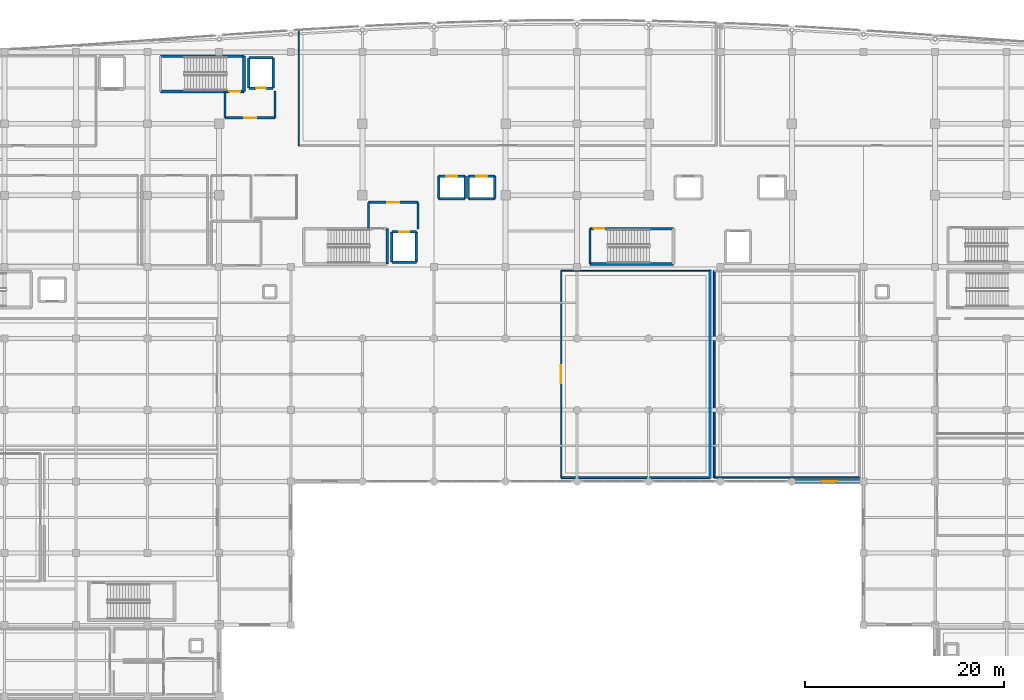
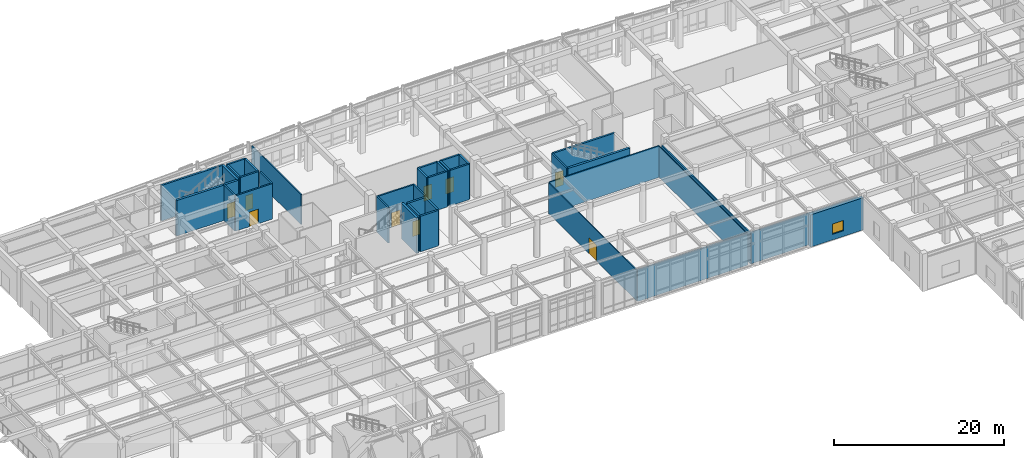
# One storey, part 77 of 102: 37 walls, 9 doors, 1 window, 10 openings.
"""IFC4 building model written with IfcOpenShell, lengths in metres."""

from ifc_helpers import new_model, si_unit, direction, frame, frame_2d, origin, place, context, subcontext, project, spatial, rectangle, extrude, material, layer, layer_set, type_object, element, fill, save


model = new_model("IFC4")

# Units and contexts
model_context = context("Model", 3, precision=1e-05, world=origin(), true_north=direction((0.0, 1.0)))
body_context = subcontext(model_context, "Body", "Model", "MODEL_VIEW")
ifc_project = project(units=[si_unit("LENGTHUNIT", "METRE"), si_unit("AREAUNIT", "SQUARE_METRE"), si_unit("VOLUMEUNIT", "CUBIC_METRE"), si_unit("PLANEANGLEUNIT", "RADIAN"), si_unit("MASSUNIT", "GRAM", prefix="KILO")], contexts=[model_context])

# Site, building, storey
site_placement = place(None, origin())
site = spatial("IfcSite", under=ifc_project, at=site_placement, CompositionType="ELEMENT")
building_placement = place(site_placement, origin())
building = spatial("IfcBuilding", under=site, at=building_placement, Name="Carrowvane Square Congress Hotel", CompositionType="ELEMENT")
storey_placement = place(building_placement, origin())
storey = spatial("IfcBuildingStorey", under=building, at=storey_placement, Name="L00", CompositionType="ELEMENT", Elevation=0.0)

# Wall, opening, window
ifc_material_1 = material(Name="Portland limestone cladding", Category="masonry")
ifc_layer_1 = layer(ifc_material_1, 0.419921875)
ifc_layer_set_1 = layer_set([ifc_layer_1], Name="Portland limestone cladding")
wall_type_1 = type_object("IfcWallType", Name="WL-EXT-LS420", PredefinedType="STANDARD", material=ifc_layer_set_1)
wall_1_placement = place(storey_placement, frame((126.800048828125, 70.199951171875, 0.0), z_axis=(0.0, 0.0, 1.0), x_axis=(-1.0, 0.0, 0.0)))
wall_1 = element("IfcWall", 1, at=wall_1_placement, inside=storey, type_object=wall_type_1, Name="L00 exterior facade wall 189", PredefinedType="STANDARD", context=body_context, shape_type="SweptSolid", body=[
    extrude(rectangle(XDim=7.199951171875, YDim=0.419921875, at=frame_2d((3.60009765625, 0.0))), origin(), (0.0, 0.0, 1.0), 4.625),
])
opening_1_placement = place(wall_1_placement, frame((2.699951171875, 0.0, 0.800048828125)))
opening_1 = element("IfcOpeningElement", 2, at=opening_1_placement, cuts=wall_1, Name="Opening W-15", PredefinedType="OPENING", context=body_context, shape_type="SweptSolid", body=[
    extrude(rectangle(XDim=1.5, YDim=1.5, at=frame_2d((0.75, 0.75))), frame((0.0, 0.219970703125, 0.0), z_axis=(0.0, -1.0, 0.0), x_axis=(1.0, 0.0, 0.0)), (0.0, 0.0, 1.0), 0.43994140625),
])
ifc_material_2 = material(Name="Double-glazed low-E glass", Category="glass")
window_type = type_object("IfcWindowType", Name="WIN-15", PartitioningType="SINGLE_PANEL", PredefinedType="WINDOW", material=ifc_material_2)
window_placement = place(opening_1_placement, origin())
window = element("IfcWindow", 3, at=window_placement, inside=storey, type_object=window_type, Name="L00 facade window 25", OverallHeight=1.5, OverallWidth=1.5, PartitioningType="SINGLE_PANEL", PredefinedType="WINDOW", context=body_context, shape_type="SweptSolid", body=[
    extrude(rectangle(XDim=1.5, YDim=1.5, at=frame_2d((0.75, 0.75))), frame((0.0, 0.030029296875, 0.0), z_axis=(0.0, -1.0, 0.0), x_axis=(1.0, 0.0, 0.0)), (0.0, 0.0, 1.0), 0.06005859375),
])
fill(opening_1, window)

# Walls
ifc_material_3 = material(Name="Acoustic gypsum board", Category="gypsum")
ifc_layer_2 = layer(ifc_material_3, 0.169921875)
ifc_layer_set_2 = layer_set([ifc_layer_2], Name="Acoustic gypsum board")
wall_type_2 = type_object("IfcWallType", Name="WL-FIR-170", PredefinedType="PARTITIONING", material=ifc_layer_set_2)
wall_2_placement = place(storey_placement, frame((111.800048828125, 70.60009765625, 0.0), z_axis=(0.0, 0.0, 1.0), x_axis=(0.0, 1.0, 0.0)))
element("IfcWall", 4, at=wall_2_placement, inside=storey, type_object=wall_type_2, Name="L00 Artisan Coffee Roastery and Bakery partition", PredefinedType="PARTITIONING", context=body_context, shape_type="SweptSolid", body=[
    extrude(rectangle(XDim=20.7998046875, YDim=0.169921875, at=frame_2d((10.39990234375, 0.0))), origin(), (0.0, 0.0, 1.0), 4.43505859375),
])
ifc_material_4 = material(Name="Acoustic gypsum board", Category="gypsum")
ifc_layer_3 = layer(ifc_material_4, 0.18505859375)
ifc_layer_set_3 = layer_set([ifc_layer_3], Name="Acoustic gypsum board")
wall_type_3 = type_object("IfcWallType", Name="WL-FIR-185", PredefinedType="PARTITIONING", material=ifc_layer_set_3)
wall_3_placement = place(storey_placement, frame((111.39990234375, 70.60009765625, 0.0), z_axis=(0.0, 0.0, 1.0), x_axis=(-1.0, 0.0, 0.0)))
element("IfcWall", 5, at=wall_3_placement, inside=storey, type_object=wall_type_3, Name="L00 Congress Bookshop and Design Retail partition", PredefinedType="PARTITIONING", context=body_context, shape_type="SweptSolid", body=[
    extrude(rectangle(XDim=15.0, YDim=0.18505859375, at=frame_2d((7.5, 0.0))), origin(), (0.0, 0.0, 1.0), 4.54833984375),
])

# Wall, opening, door
ifc_material_5 = material(Name="Acoustic gypsum board", Category="gypsum")
ifc_layer_4 = layer(ifc_material_5, 0.205078125)
ifc_layer_set_4 = layer_set([ifc_layer_4], Name="Acoustic gypsum board")
wall_type_4 = type_object("IfcWallType", Name="WL-FIR-205", PredefinedType="PARTITIONING", material=ifc_layer_set_4)
wall_4_placement = place(storey_placement, frame((62.60009765625, 106.800048828125, 0.0), z_axis=(0.0, 0.0, 1.0), x_axis=(1.0, 0.0, 0.0)))
wall_4 = element("IfcWall", 6, at=wall_4_placement, inside=storey, type_object=wall_type_4, Name="L00 Firefighting Lobby C1 wall south", PredefinedType="PARTITIONING", context=body_context, shape_type="SweptSolid", body=[
    extrude(rectangle(XDim=5.0, YDim=0.205078125, at=frame_2d((2.5, 0.0))), origin(), (0.0, 0.0, 1.0), 5.10009765625),
])
opening_2_placement = place(wall_4_placement, frame((1.89990234375, 0.0, 0.0)))
opening_2 = element("IfcOpeningElement", 7, at=opening_2_placement, cuts=wall_4, Name="Opening FD-02", PredefinedType="OPENING", context=body_context, shape_type="SweptSolid", body=[
    extrude(rectangle(XDim=1.199951171875, YDim=2.10009765625, at=frame_2d((0.60009765625, 1.050048828125))), frame((0.0, 0.112548828125, 0.0), z_axis=(0.0, -1.0, 0.0), x_axis=(1.0, 0.0, 0.0)), (0.0, 0.0, 1.0), 0.22509765625),
])
ifc_material_6 = material(Name="European oak timber", Category="wood")
door_type_1 = type_object("IfcDoorType", Name="DR-FD60-1200x2100", OperationType="NOTDEFINED", PredefinedType="DOOR", material=ifc_material_6)
door_1_placement = place(opening_2_placement, origin())
door_1 = element("IfcDoor", 8, at=door_1_placement, inside=storey, type_object=door_type_1, Name="L00 Firefighting Lobby C1 entrance door", OperationType="SINGLE_SWING_LEFT", OverallHeight=2.10009765625, OverallWidth=1.199951171875, PredefinedType="DOOR", context=body_context, shape_type="SweptSolid", body=[
    extrude(rectangle(XDim=1.199951171875, YDim=2.10009765625, at=frame_2d((0.60009765625, 1.050048828125))), frame((0.0, 0.02490234375, 0.0), z_axis=(0.0, -1.0, 0.0), x_axis=(1.0, 0.0, 0.0)), (0.0, 0.0, 1.0), 0.050048828125),
])
fill(opening_2, door_1)

# Walls
for number, where, z_axis, x_axis, name in (
    (9, (67.60009765625, 106.800048828125, 0.0), (0.0, 0.0, 1.0), (0.0, 1.0, 0.0), "L00 Firefighting Lobby C1 wall east"),
    (10, (62.60009765625, 109.5, 0.0), (0.0, 0.0, 1.0), (0.0, -1.0, 0.0), "L00 Firefighting Lobby C1 wall west"),
    (11, (82.0, 95.60009765625, 0.0), (0.0, 0.0, 1.0), (0.0, 1.0, 0.0), "L00 Firefighting Lobby C2 wall east"),
):
    element("IfcWall", number, at=place(storey_placement, frame(where, z_axis=z_axis, x_axis=x_axis)), inside=storey, type_object=wall_type_4, Name=name, PredefinedType="PARTITIONING", context=body_context, shape_type="SweptSolid", body=[
        extrude(rectangle(XDim=2.699951171875, YDim=0.205078125, at=frame_2d((1.35009765625, 0.0))), origin(), (0.0, 0.0, 1.0), 5.10009765625),
    ])

# Wall, opening, door
wall_5_placement = place(storey_placement, frame((82.0, 98.300048828125, 0.0), z_axis=(0.0, 0.0, 1.0), x_axis=(-1.0, 0.0, 0.0)))
wall_5 = element("IfcWall", 12, at=wall_5_placement, inside=storey, type_object=wall_type_4, Name="L00 Firefighting Lobby C2 wall north", PredefinedType="PARTITIONING", context=body_context, shape_type="SweptSolid", body=[
    extrude(rectangle(XDim=5.0, YDim=0.205078125, at=frame_2d((2.5, 0.0))), origin(), (0.0, 0.0, 1.0), 5.10009765625),
])
opening_3_placement = place(wall_5_placement, frame((1.89990234375, 0.0, 0.0)))
opening_3 = element("IfcOpeningElement", 13, at=opening_3_placement, cuts=wall_5, Name="Opening FD-02", PredefinedType="OPENING", context=body_context, shape_type="SweptSolid", body=[
    extrude(rectangle(XDim=1.199951171875, YDim=2.10009765625, at=frame_2d((0.60009765625, 1.050048828125))), frame((0.0, 0.112548828125, 0.0), z_axis=(0.0, -1.0, 0.0), x_axis=(1.0, 0.0, 0.0)), (0.0, 0.0, 1.0), 0.22509765625),
])
door_2_placement = place(opening_3_placement, origin())
door_2 = element("IfcDoor", 14, at=door_2_placement, inside=storey, type_object=door_type_1, Name="L00 Firefighting Lobby C2 entrance door", OperationType="SINGLE_SWING_RIGHT", OverallHeight=2.10009765625, OverallWidth=1.199951171875, PredefinedType="DOOR", context=body_context, shape_type="SweptSolid", body=[
    extrude(rectangle(XDim=1.199951171875, YDim=2.10009765625, at=frame_2d((0.60009765625, 1.050048828125))), frame((0.0, 0.02490234375, 0.0), z_axis=(0.0, -1.0, 0.0), x_axis=(1.0, 0.0, 0.0)), (0.0, 0.0, 1.0), 0.050048828125),
])
fill(opening_3, door_2)

# Walls
wall_6_placement = place(storey_placement, frame((77.0, 98.300048828125, 0.0), z_axis=(0.0, 0.0, 1.0), x_axis=(0.0, -1.0, 0.0)))
element("IfcWall", 15, at=wall_6_placement, inside=storey, type_object=wall_type_4, Name="L00 Firefighting Lobby C2 wall west", PredefinedType="PARTITIONING", context=body_context, shape_type="SweptSolid", body=[
    extrude(rectangle(XDim=2.699951171875, YDim=0.205078125, at=frame_2d((1.35009765625, 0.0))), origin(), (0.0, 0.0, 1.0), 5.10009765625),
])
ifc_material_7 = material(Name="Acoustic gypsum board", Category="gypsum")
ifc_layer_5 = layer(ifc_material_7, 0.097900390625)
ifc_layer_set_5 = layer_set([ifc_layer_5], Name="Acoustic gypsum board")
wall_type_5 = type_object("IfcWallType", Name="WL-PRT-098", PredefinedType="PARTITIONING", material=ifc_layer_set_5)
wall_7_placement = place(storey_placement, frame((111.39990234375, 91.39990234375, 0.0), z_axis=(0.0, 0.0, 1.0), x_axis=(0.0, -1.0, 0.0)))
element("IfcWall", 16, at=wall_7_placement, inside=storey, type_object=wall_type_5, Name="L00 Congress Bookshop and Design Retail partition", PredefinedType="PARTITIONING", context=body_context, shape_type="SweptSolid", body=[
    extrude(rectangle(XDim=20.7998046875, YDim=0.097900390625, at=frame_2d((10.39990234375, 0.0))), origin(), (0.0, 0.0, 1.0), 4.43505859375),
])
ifc_material_8 = material(Name="Acoustic gypsum board", Category="gypsum")
ifc_layer_6 = layer(ifc_material_8, 0.10791015625)
ifc_layer_set_6 = layer_set([ifc_layer_6], Name="Acoustic gypsum board")
wall_type_6 = type_object("IfcWallType", Name="WL-PRT-108", PredefinedType="PARTITIONING", material=ifc_layer_set_6)
wall_8_placement = place(storey_placement, frame((96.39990234375, 91.39990234375, 0.0), z_axis=(0.0, 0.0, 1.0), x_axis=(1.0, 0.0, 0.0)))
element("IfcWall", 17, at=wall_8_placement, inside=storey, type_object=wall_type_6, Name="L00 Congress Bookshop and Design Retail partition", PredefinedType="PARTITIONING", context=body_context, shape_type="SweptSolid", body=[
    extrude(rectangle(XDim=15.0, YDim=0.10791015625, at=frame_2d((7.5, 0.0))), origin(), (0.0, 0.0, 1.0), 4.54833984375),
])

# Wall, opening, door
ifc_material_9 = material(Name="Acoustic gypsum board", Category="gypsum")
ifc_layer_7 = layer(ifc_material_9, 0.117919921875)
ifc_layer_set_7 = layer_set([ifc_layer_7], Name="Acoustic gypsum board")
wall_type_7 = type_object("IfcWallType", Name="WL-PRT-118", PredefinedType="PARTITIONING", material=ifc_layer_set_7)
wall_9_placement = place(storey_placement, frame((96.39990234375, 70.60009765625, 0.0), z_axis=(0.0, 0.0, 1.0), x_axis=(0.0, 1.0, 0.0)))
wall_9 = element("IfcWall", 18, at=wall_9_placement, inside=storey, type_object=wall_type_7, Name="L00 Congress Bookshop and Design Retail partition", PredefinedType="PARTITIONING", context=body_context, shape_type="SweptSolid", body=[
    extrude(rectangle(XDim=20.7998046875, YDim=0.117919921875, at=frame_2d((10.39990234375, 0.0))), origin(), (0.0, 0.0, 1.0), 4.43505859375),
])
opening_4_placement = place(wall_9_placement, frame((9.47509765625, 0.0, 0.0)))
opening_4 = element("IfcOpeningElement", 19, at=opening_4_placement, cuts=wall_9, Name="Opening ID-13", PredefinedType="OPENING", context=body_context, shape_type="SweptSolid", body=[
    extrude(rectangle(XDim=1.85009765625, YDim=2.300048828125, at=frame_2d((0.925048828125, 1.14990234375))), frame((0.0, 0.06884765625, 0.0), z_axis=(0.0, -1.0, 0.0), x_axis=(1.0, 0.0, 0.0)), (0.0, 0.0, 1.0), 0.137939453125),
])
ifc_material_10 = material(Name="European oak timber", Category="wood")
door_type_2 = type_object("IfcDoorType", Name="DR-INT-1850x2300", OperationType="DOUBLE_DOOR_SINGLE_SWING", PredefinedType="DOOR", material=ifc_material_10)
door_3_placement = place(opening_4_placement, origin())
door_3 = element("IfcDoor", 20, at=door_3_placement, inside=storey, type_object=door_type_2, Name="L00 Congress Bookshop and Design Retail entrance door", OperationType="DOUBLE_DOOR_SINGLE_SWING", OverallHeight=2.300048828125, OverallWidth=1.85009765625, PredefinedType="DOOR", context=body_context, shape_type="SweptSolid", body=[
    extrude(rectangle(XDim=1.85009765625, YDim=2.300048828125, at=frame_2d((0.925048828125, 1.14990234375))), frame((0.0, 0.02490234375, 0.0), z_axis=(0.0, -1.0, 0.0), x_axis=(1.0, 0.0, 0.0)), (0.0, 0.0, 1.0), 0.050048828125),
])
fill(opening_4, door_3)

# Walls
ifc_material_11 = material(Name="Acoustic gypsum board", Category="gypsum")
ifc_layer_8 = layer(ifc_material_11, 0.137939453125)
ifc_layer_set_8 = layer_set([ifc_layer_8], Name="Acoustic gypsum board")
wall_type_8 = type_object("IfcWallType", Name="WL-PRT-138", PredefinedType="PARTITIONING", material=ifc_layer_set_8)
wall_10_placement = place(storey_placement, frame((126.39990234375, 70.60009765625, 0.0), z_axis=(0.0, 0.0, 1.0), x_axis=(-1.0, 0.0, 0.0)))
element("IfcWall", 21, at=wall_10_placement, inside=storey, type_object=wall_type_8, Name="L00 Artisan Coffee Roastery and Bakery partition", PredefinedType="PARTITIONING", context=body_context, shape_type="SweptSolid", body=[
    extrude(rectangle(XDim=14.599853515625, YDim=0.137939453125, at=frame_2d((7.2998046875, 0.0))), origin(), (0.0, 0.0, 1.0), 4.54833984375),
])
ifc_material_12 = material(Name="Acoustic gypsum board", Category="gypsum")
ifc_layer_9 = layer(ifc_material_12, 0.14794921875)
ifc_layer_set_9 = layer_set([ifc_layer_9], Name="Acoustic gypsum board")
wall_type_9 = type_object("IfcWallType", Name="WL-PRT-148", PredefinedType="PARTITIONING", material=ifc_layer_set_9)
wall_11_placement = place(storey_placement, frame((70.0, 104.0, 0.0), z_axis=(0.0, 0.0, 1.0), x_axis=(0.0, 1.0, 0.0)))
element("IfcWall", 22, at=wall_11_placement, inside=storey, type_object=wall_type_9, Name="L00 Hotel Grand Entrance Lobby and Reception partition", PredefinedType="PARTITIONING", context=body_context, shape_type="SweptSolid", body=[
    extrude(rectangle(XDim=11.624267578125, YDim=0.14794921875, at=frame_2d((5.81201171875, 0.0))), origin(), (0.0, 0.0, 1.0), 4.3349609375),
])
ifc_material_13 = material(Name="Concrete C40/50", Category="concrete")
ifc_layer_10 = layer(ifc_material_13, 0.22509765625)
ifc_layer_set_10 = layer_set([ifc_layer_10], Name="Concrete C40/50")
wall_type_10 = type_object("IfcWallType", Name="WL-SHR-225", PredefinedType="SHEAR", material=ifc_layer_set_10)
wall_12_placement = place(storey_placement, frame((99.300048828125, 95.659912109375, 0.0), z_axis=(0.0, 0.0, 1.0), x_axis=(0.0, -1.0, 0.0)))
element("IfcWall", 23, at=wall_12_placement, inside=storey, type_object=wall_type_10, Name="L00 ST3 core wall west", PredefinedType="SHEAR", context=body_context, shape_type="SweptSolid", body=[
    extrude(rectangle(XDim=3.559814453125, YDim=0.22509765625, at=frame_2d((1.77978515625, 0.0))), origin(), (0.0, 0.0, 1.0), 5.10009765625),
])
ifc_material_14 = material(Name="Concrete C40/50", Category="concrete")
ifc_layer_11 = layer(ifc_material_14, 0.25)
ifc_layer_set_11 = layer_set([ifc_layer_11], Name="Concrete C40/50")
wall_type_11 = type_object("IfcWallType", Name="WL-SHR-250", PredefinedType="SHEAR", material=ifc_layer_set_11)
wall_13_placement = place(storey_placement, frame((64.5, 113.0, 0.0), z_axis=(0.0, 0.0, 1.0), x_axis=(-1.0, 0.0, 0.0)))
element("IfcWall", 24, at=wall_13_placement, inside=storey, type_object=wall_type_11, Name="L00 ST1 core wall north", PredefinedType="SHEAR", context=body_context, shape_type="SweptSolid", body=[
    extrude(rectangle(XDim=8.39990234375, YDim=0.25, at=frame_2d((4.199951171875, 0.0))), origin(), (0.0, 0.0, 1.0), 5.10009765625),
])

# Wall, opening, door
wall_14_placement = place(storey_placement, frame((107.699951171875, 95.659912109375, 0.0), z_axis=(0.0, 0.0, 1.0), x_axis=(-1.0, 0.0, 0.0)))
wall_14 = element("IfcWall", 25, at=wall_14_placement, inside=storey, type_object=wall_type_11, Name="L00 ST3 core wall north", PredefinedType="SHEAR", context=body_context, shape_type="SweptSolid", body=[
    extrude(rectangle(XDim=8.39990234375, YDim=0.25, at=frame_2d((4.199951171875, 0.0))), origin(), (0.0, 0.0, 1.0), 5.10009765625),
])
opening_5_placement = place(wall_14_placement, frame((6.909912109375, 0.0, 0.0)))
opening_5 = element("IfcOpeningElement", 26, at=opening_5_placement, cuts=wall_14, Name="Opening FD-01", PredefinedType="OPENING", context=body_context, shape_type="SweptSolid", body=[
    extrude(rectangle(XDim=1.10009765625, YDim=2.10009765625, at=frame_2d((0.550048828125, 1.050048828125))), frame((0.0, 0.135009765625, 0.0), z_axis=(0.0, -1.0, 0.0), x_axis=(1.0, 0.0, 0.0)), (0.0, 0.0, 1.0), 0.27001953125),
])
ifc_material_15 = material(Name="European oak timber", Category="wood")
door_type_3 = type_object("IfcDoorType", Name="DR-FD60-1100x2100", OperationType="NOTDEFINED", PredefinedType="DOOR", material=ifc_material_15)
door_4_placement = place(opening_5_placement, origin())
door_4 = element("IfcDoor", 27, at=door_4_placement, inside=storey, type_object=door_type_3, Name="L00 ST3 fire door", OperationType="SINGLE_SWING_RIGHT", OverallHeight=2.10009765625, OverallWidth=1.10009765625, PredefinedType="DOOR", context=body_context, shape_type="SweptSolid", body=[
    extrude(rectangle(XDim=1.10009765625, YDim=2.10009765625, at=frame_2d((0.550048828125, 1.050048828125))), frame((0.0, 0.02490234375, 0.0), z_axis=(0.0, -1.0, 0.0), x_axis=(1.0, 0.0, 0.0)), (0.0, 0.0, 1.0), 0.050048828125),
])
fill(opening_5, door_4)

wall_15_placement = place(storey_placement, frame((64.97509765625, 109.77490234375, 0.0), z_axis=(0.0, 0.0, 1.0), x_axis=(1.0, 0.0, 0.0)))
wall_15 = element("IfcWall", 28, at=wall_15_placement, inside=storey, type_object=wall_type_11, Name="L00 FFL-1 shaft wall south", PredefinedType="SHEAR", context=body_context, shape_type="SweptSolid", body=[
    extrude(rectangle(XDim=2.449951171875, YDim=0.25, at=frame_2d((1.22509765625, 0.0))), origin(), (0.0, 0.0, 1.0), 5.10009765625),
])
opening_6_placement = place(wall_15_placement, frame((0.72509765625, 0.0, 0.0)))
opening_6 = element("IfcOpeningElement", 29, at=opening_6_placement, cuts=wall_15, Name="Opening LD-FFL-1", PredefinedType="OPENING", context=body_context, shape_type="SweptSolid", body=[
    extrude(rectangle(XDim=1.0, YDim=2.14990234375, at=frame_2d((0.5, 1.074951171875))), frame((0.0, 0.135009765625, 0.0), z_axis=(0.0, -1.0, 0.0), x_axis=(1.0, 0.0, 0.0)), (0.0, 0.0, 1.0), 0.27001953125),
])
ifc_material_16 = material(Name="Stainless steel 316", Category="steel")
door_type_4 = type_object("IfcDoorType", Name="DR-LD-1000x2150", OperationType="DOUBLE_DOOR_SLIDING", PredefinedType="DOOR", material=ifc_material_16)
door_5_placement = place(opening_6_placement, origin())
door_5 = element("IfcDoor", 30, at=door_5_placement, inside=storey, type_object=door_type_4, Name="L00 FFL-1 sliding lift landing door", OperationType="DOUBLE_DOOR_SLIDING", OverallHeight=2.14990234375, OverallWidth=1.0, PredefinedType="DOOR", context=body_context, shape_type="SweptSolid", body=[
    extrude(rectangle(XDim=1.0, YDim=2.14990234375, at=frame_2d((0.5, 1.074951171875))), frame((0.0, 0.02490234375, 0.0), z_axis=(0.0, -1.0, 0.0), x_axis=(1.0, 0.0, 0.0)), (0.0, 0.0, 1.0), 0.050048828125),
])
fill(opening_6, door_5)

# Walls
wall_16_placement = place(storey_placement, frame((67.425048828125, 109.77490234375, 0.0), z_axis=(0.0, 0.0, 1.0), x_axis=(0.0, 1.0, 0.0)))
element("IfcWall", 31, at=wall_16_placement, inside=storey, type_object=wall_type_11, Name="L00 FFL-1 shaft wall east", PredefinedType="SHEAR", context=body_context, shape_type="SweptSolid", body=[
    extrude(rectangle(XDim=3.050048828125, YDim=0.25, at=frame_2d((1.52490234375, 0.0))), origin(), (0.0, 0.0, 1.0), 5.10009765625),
])
wall_17_placement = place(storey_placement, frame((67.425048828125, 112.824951171875, 0.0), z_axis=(0.0, 0.0, 1.0), x_axis=(-1.0, 0.0, 0.0)))
element("IfcWall", 32, at=wall_17_placement, inside=storey, type_object=wall_type_11, Name="L00 FFL-1 shaft wall north", PredefinedType="SHEAR", context=body_context, shape_type="SweptSolid", body=[
    extrude(rectangle(XDim=2.449951171875, YDim=0.25, at=frame_2d((1.22509765625, 0.0))), origin(), (0.0, 0.0, 1.0), 5.10009765625),
])
wall_18_placement = place(storey_placement, frame((64.97509765625, 112.824951171875, 0.0), z_axis=(0.0, 0.0, 1.0), x_axis=(0.0, -1.0, 0.0)))
element("IfcWall", 33, at=wall_18_placement, inside=storey, type_object=wall_type_11, Name="L00 FFL-1 shaft wall west", PredefinedType="SHEAR", context=body_context, shape_type="SweptSolid", body=[
    extrude(rectangle(XDim=3.050048828125, YDim=0.25, at=frame_2d((1.52490234375, 0.0))), origin(), (0.0, 0.0, 1.0), 5.10009765625),
])
wall_19_placement = place(storey_placement, frame((79.375, 92.27490234375, 0.0), z_axis=(0.0, 0.0, 1.0), x_axis=(1.0, 0.0, 0.0)))
element("IfcWall", 34, at=wall_19_placement, inside=storey, type_object=wall_type_11, Name="L00 FFL-2 shaft wall south", PredefinedType="SHEAR", context=body_context, shape_type="SweptSolid", body=[
    extrude(rectangle(XDim=2.449951171875, YDim=0.25, at=frame_2d((1.22509765625, 0.0))), origin(), (0.0, 0.0, 1.0), 5.10009765625),
])
wall_20_placement = place(storey_placement, frame((81.824951171875, 92.27490234375, 0.0), z_axis=(0.0, 0.0, 1.0), x_axis=(0.0, 1.0, 0.0)))
element("IfcWall", 35, at=wall_20_placement, inside=storey, type_object=wall_type_11, Name="L00 FFL-2 shaft wall east", PredefinedType="SHEAR", context=body_context, shape_type="SweptSolid", body=[
    extrude(rectangle(XDim=3.050048828125, YDim=0.25, at=frame_2d((1.52490234375, 0.0))), origin(), (0.0, 0.0, 1.0), 5.10009765625),
])

# Wall, opening, door
wall_21_placement = place(storey_placement, frame((81.824951171875, 95.324951171875, 0.0), z_axis=(0.0, 0.0, 1.0), x_axis=(-1.0, 0.0, 0.0)))
wall_21 = element("IfcWall", 36, at=wall_21_placement, inside=storey, type_object=wall_type_11, Name="L00 FFL-2 shaft wall north", PredefinedType="SHEAR", context=body_context, shape_type="SweptSolid", body=[
    extrude(rectangle(XDim=2.449951171875, YDim=0.25, at=frame_2d((1.22509765625, 0.0))), origin(), (0.0, 0.0, 1.0), 5.10009765625),
])
opening_7_placement = place(wall_21_placement, frame((0.72509765625, 0.0, 0.0)))
opening_7 = element("IfcOpeningElement", 37, at=opening_7_placement, cuts=wall_21, Name="Opening LD-FFL-2", PredefinedType="OPENING", context=body_context, shape_type="SweptSolid", body=[
    extrude(rectangle(XDim=1.0, YDim=2.14990234375, at=frame_2d((0.5, 1.074951171875))), frame((0.0, 0.135009765625, 0.0), z_axis=(0.0, -1.0, 0.0), x_axis=(1.0, 0.0, 0.0)), (0.0, 0.0, 1.0), 0.27001953125),
])
door_6_placement = place(opening_7_placement, origin())
door_6 = element("IfcDoor", 38, at=door_6_placement, inside=storey, type_object=door_type_4, Name="L00 FFL-2 sliding lift landing door", OperationType="DOUBLE_DOOR_SLIDING", OverallHeight=2.14990234375, OverallWidth=1.0, PredefinedType="DOOR", context=body_context, shape_type="SweptSolid", body=[
    extrude(rectangle(XDim=1.0, YDim=2.14990234375, at=frame_2d((0.5, 1.074951171875))), frame((0.0, 0.02490234375, 0.0), z_axis=(0.0, -1.0, 0.0), x_axis=(1.0, 0.0, 0.0)), (0.0, 0.0, 1.0), 0.050048828125),
])
fill(opening_7, door_6)

# Walls
wall_22_placement = place(storey_placement, frame((79.375, 95.324951171875, 0.0), z_axis=(0.0, 0.0, 1.0), x_axis=(0.0, -1.0, 0.0)))
element("IfcWall", 39, at=wall_22_placement, inside=storey, type_object=wall_type_11, Name="L00 FFL-2 shaft wall west", PredefinedType="SHEAR", context=body_context, shape_type="SweptSolid", body=[
    extrude(rectangle(XDim=3.050048828125, YDim=0.25, at=frame_2d((1.52490234375, 0.0))), origin(), (0.0, 0.0, 1.0), 5.10009765625),
])
wall_23_placement = place(storey_placement, frame((84.074951171875, 98.675048828125, 0.0), z_axis=(0.0, 0.0, 1.0), x_axis=(1.0, 0.0, 0.0)))
element("IfcWall", 40, at=wall_23_placement, inside=storey, type_object=wall_type_11, Name="L00 HL-1 shaft wall south", PredefinedType="SHEAR", context=body_context, shape_type="SweptSolid", body=[
    extrude(rectangle(XDim=2.650146484375, YDim=0.25, at=frame_2d((1.3251953125, 0.0))), origin(), (0.0, 0.0, 1.0), 5.10009765625),
])
wall_24_placement = place(storey_placement, frame((86.72509765625, 98.675048828125, 0.0), z_axis=(0.0, 0.0, 1.0), x_axis=(0.0, 1.0, 0.0)))
element("IfcWall", 41, at=wall_24_placement, inside=storey, type_object=wall_type_11, Name="L00 HL-1 shaft wall east", PredefinedType="SHEAR", context=body_context, shape_type="SweptSolid", body=[
    extrude(rectangle(XDim=2.25, YDim=0.25, at=frame_2d((1.125, 0.0))), origin(), (0.0, 0.0, 1.0), 5.10009765625),
])

# Wall, opening, door
wall_25_placement = place(storey_placement, frame((86.72509765625, 100.925048828125, 0.0), z_axis=(0.0, 0.0, 1.0), x_axis=(-1.0, 0.0, 0.0)))
wall_25 = element("IfcWall", 42, at=wall_25_placement, inside=storey, type_object=wall_type_11, Name="L00 HL-1 shaft wall north", PredefinedType="SHEAR", context=body_context, shape_type="SweptSolid", body=[
    extrude(rectangle(XDim=2.650146484375, YDim=0.25, at=frame_2d((1.3251953125, 0.0))), origin(), (0.0, 0.0, 1.0), 5.10009765625),
])
opening_8_placement = place(wall_25_placement, frame((0.77490234375, 0.0, 0.0)))
opening_8 = element("IfcOpeningElement", 43, at=opening_8_placement, cuts=wall_25, Name="Opening LD-HL-1", PredefinedType="OPENING", context=body_context, shape_type="SweptSolid", body=[
    extrude(rectangle(XDim=1.10009765625, YDim=2.14990234375, at=frame_2d((0.550048828125, 1.074951171875))), frame((0.0, 0.135009765625, 0.0), z_axis=(0.0, -1.0, 0.0), x_axis=(1.0, 0.0, 0.0)), (0.0, 0.0, 1.0), 0.27001953125),
])
ifc_material_17 = material(Name="Stainless steel 316", Category="steel")
door_type_5 = type_object("IfcDoorType", Name="DR-LD-1100x2150", OperationType="DOUBLE_DOOR_SLIDING", PredefinedType="DOOR", material=ifc_material_17)
door_7_placement = place(opening_8_placement, origin())
door_7 = element("IfcDoor", 44, at=door_7_placement, inside=storey, type_object=door_type_5, Name="L00 HL-1 sliding lift landing door", OperationType="DOUBLE_DOOR_SLIDING", OverallHeight=2.14990234375, OverallWidth=1.10009765625, PredefinedType="DOOR", context=body_context, shape_type="SweptSolid", body=[
    extrude(rectangle(XDim=1.10009765625, YDim=2.14990234375, at=frame_2d((0.550048828125, 1.074951171875))), frame((0.0, 0.02490234375, 0.0), z_axis=(0.0, -1.0, 0.0), x_axis=(1.0, 0.0, 0.0)), (0.0, 0.0, 1.0), 0.050048828125),
])
fill(opening_8, door_7)

# Walls
wall_26_placement = place(storey_placement, frame((84.074951171875, 100.925048828125, 0.0), z_axis=(0.0, 0.0, 1.0), x_axis=(0.0, -1.0, 0.0)))
element("IfcWall", 45, at=wall_26_placement, inside=storey, type_object=wall_type_11, Name="L00 HL-1 shaft wall west", PredefinedType="SHEAR", context=body_context, shape_type="SweptSolid", body=[
    extrude(rectangle(XDim=2.25, YDim=0.25, at=frame_2d((1.125, 0.0))), origin(), (0.0, 0.0, 1.0), 5.10009765625),
])
wall_27_placement = place(storey_placement, frame((87.074951171875, 98.675048828125, 0.0), z_axis=(0.0, 0.0, 1.0), x_axis=(1.0, 0.0, 0.0)))
element("IfcWall", 46, at=wall_27_placement, inside=storey, type_object=wall_type_11, Name="L00 HL-2 shaft wall south", PredefinedType="SHEAR", context=body_context, shape_type="SweptSolid", body=[
    extrude(rectangle(XDim=2.650146484375, YDim=0.25, at=frame_2d((1.3251953125, 0.0))), origin(), (0.0, 0.0, 1.0), 5.10009765625),
])
wall_28_placement = place(storey_placement, frame((89.72509765625, 98.675048828125, 0.0), z_axis=(0.0, 0.0, 1.0), x_axis=(0.0, 1.0, 0.0)))
element("IfcWall", 47, at=wall_28_placement, inside=storey, type_object=wall_type_11, Name="L00 HL-2 shaft wall east", PredefinedType="SHEAR", context=body_context, shape_type="SweptSolid", body=[
    extrude(rectangle(XDim=2.25, YDim=0.25, at=frame_2d((1.125, 0.0))), origin(), (0.0, 0.0, 1.0), 5.10009765625),
])

# Wall, opening, door
wall_29_placement = place(storey_placement, frame((89.72509765625, 100.925048828125, 0.0), z_axis=(0.0, 0.0, 1.0), x_axis=(-1.0, 0.0, 0.0)))
wall_29 = element("IfcWall", 48, at=wall_29_placement, inside=storey, type_object=wall_type_11, Name="L00 HL-2 shaft wall north", PredefinedType="SHEAR", context=body_context, shape_type="SweptSolid", body=[
    extrude(rectangle(XDim=2.650146484375, YDim=0.25, at=frame_2d((1.3251953125, 0.0))), origin(), (0.0, 0.0, 1.0), 5.10009765625),
])
opening_9_placement = place(wall_29_placement, frame((0.77490234375, 0.0, 0.0)))
opening_9 = element("IfcOpeningElement", 49, at=opening_9_placement, cuts=wall_29, Name="Opening LD-HL-2", PredefinedType="OPENING", context=body_context, shape_type="SweptSolid", body=[
    extrude(rectangle(XDim=1.10009765625, YDim=2.14990234375, at=frame_2d((0.550048828125, 1.074951171875))), frame((0.0, 0.135009765625, 0.0), z_axis=(0.0, -1.0, 0.0), x_axis=(1.0, 0.0, 0.0)), (0.0, 0.0, 1.0), 0.27001953125),
])
door_8_placement = place(opening_9_placement, origin())
door_8 = element("IfcDoor", 50, at=door_8_placement, inside=storey, type_object=door_type_5, Name="L00 HL-2 sliding lift landing door", OperationType="DOUBLE_DOOR_SLIDING", OverallHeight=2.14990234375, OverallWidth=1.10009765625, PredefinedType="DOOR", context=body_context, shape_type="SweptSolid", body=[
    extrude(rectangle(XDim=1.10009765625, YDim=2.14990234375, at=frame_2d((0.550048828125, 1.074951171875))), frame((0.0, 0.02490234375, 0.0), z_axis=(0.0, -1.0, 0.0), x_axis=(1.0, 0.0, 0.0)), (0.0, 0.0, 1.0), 0.050048828125),
])
fill(opening_9, door_8)

# Walls
wall_30_placement = place(storey_placement, frame((87.074951171875, 100.925048828125, 0.0), z_axis=(0.0, 0.0, 1.0), x_axis=(0.0, -1.0, 0.0)))
element("IfcWall", 51, at=wall_30_placement, inside=storey, type_object=wall_type_11, Name="L00 HL-2 shaft wall west", PredefinedType="SHEAR", context=body_context, shape_type="SweptSolid", body=[
    extrude(rectangle(XDim=2.25, YDim=0.25, at=frame_2d((1.125, 0.0))), origin(), (0.0, 0.0, 1.0), 5.10009765625),
])
ifc_material_18 = material(Name="Concrete C40/50", Category="concrete")
ifc_layer_12 = layer(ifc_material_18, 0.27490234375)
ifc_layer_set_12 = layer_set([ifc_layer_12], Name="Concrete C40/50")
wall_type_12 = type_object("IfcWallType", Name="WL-SHR-275", PredefinedType="SHEAR", material=ifc_layer_set_12)
wall_31_placement = place(storey_placement, frame((64.5, 109.43994140625, 0.0), z_axis=(0.0, 0.0, 1.0), x_axis=(0.0, 1.0, 0.0)))
element("IfcWall", 52, at=wall_31_placement, inside=storey, type_object=wall_type_12, Name="L00 ST1 core wall east", PredefinedType="SHEAR", context=body_context, shape_type="SweptSolid", body=[
    extrude(rectangle(XDim=3.56005859375, YDim=0.27490234375, at=frame_2d((1.780029296875, 0.0))), origin(), (0.0, 0.0, 1.0), 5.10009765625),
])
wall_32_placement = place(storey_placement, frame((78.89990234375, 92.10009765625, 0.0), z_axis=(0.0, 0.0, 1.0), x_axis=(0.0, 1.0, 0.0)))
element("IfcWall", 53, at=wall_32_placement, inside=storey, type_object=wall_type_12, Name="L00 ST2 core wall east", PredefinedType="SHEAR", context=body_context, shape_type="SweptSolid", body=[
    extrude(rectangle(XDim=3.559814453125, YDim=0.27490234375, at=frame_2d((1.77978515625, 0.0))), origin(), (0.0, 0.0, 1.0), 5.10009765625),
])

# Wall, opening, door
ifc_material_19 = material(Name="Concrete C40/50", Category="concrete")
ifc_layer_13 = layer(ifc_material_19, 0.300048828125)
ifc_layer_set_13 = layer_set([ifc_layer_13], Name="Concrete C40/50")
wall_type_13 = type_object("IfcWallType", Name="WL-SHR-300", PredefinedType="SHEAR", material=ifc_layer_set_13)
wall_33_placement = place(storey_placement, frame((56.10009765625, 109.43994140625, 0.0), z_axis=(0.0, 0.0, 1.0), x_axis=(1.0, 0.0, 0.0)))
wall_33 = element("IfcWall", 54, at=wall_33_placement, inside=storey, type_object=wall_type_13, Name="L00 ST1 core wall south", PredefinedType="SHEAR", context=body_context, shape_type="SweptSolid", body=[
    extrude(rectangle(XDim=8.39990234375, YDim=0.300048828125, at=frame_2d((4.199951171875, 0.0))), origin(), (0.0, 0.0, 1.0), 5.10009765625),
])
opening_10_placement = place(wall_33_placement, frame((6.909912109375, 0.0, 0.0)))
opening_10 = element("IfcOpeningElement", 55, at=opening_10_placement, cuts=wall_33, Name="Opening FD-01", PredefinedType="OPENING", context=body_context, shape_type="SweptSolid", body=[
    extrude(rectangle(XDim=1.10009765625, YDim=2.10009765625, at=frame_2d((0.550048828125, 1.050048828125))), frame((0.0, 0.159912109375, 0.0), z_axis=(0.0, -1.0, 0.0), x_axis=(1.0, 0.0, 0.0)), (0.0, 0.0, 1.0), 0.320068359375),
])
door_9_placement = place(opening_10_placement, origin())
door_9 = element("IfcDoor", 56, at=door_9_placement, inside=storey, type_object=door_type_3, Name="L00 ST1 fire door", OperationType="SINGLE_SWING_RIGHT", OverallHeight=2.10009765625, OverallWidth=1.10009765625, PredefinedType="DOOR", context=body_context, shape_type="SweptSolid", body=[
    extrude(rectangle(XDim=1.10009765625, YDim=2.10009765625, at=frame_2d((0.550048828125, 1.050048828125))), frame((0.0, 0.02490234375, 0.0), z_axis=(0.0, -1.0, 0.0), x_axis=(1.0, 0.0, 0.0)), (0.0, 0.0, 1.0), 0.050048828125),
])
fill(opening_10, door_9)

# Wall
wall_34_placement = place(storey_placement, frame((99.300048828125, 92.10009765625, 0.0), z_axis=(0.0, 0.0, 1.0), x_axis=(1.0, 0.0, 0.0)))
element("IfcWall", 57, at=wall_34_placement, inside=storey, type_object=wall_type_13, Name="L00 ST3 core wall south", PredefinedType="SHEAR", context=body_context, shape_type="SweptSolid", body=[
    extrude(rectangle(XDim=8.39990234375, YDim=0.300048828125, at=frame_2d((4.199951171875, 0.0))), origin(), (0.0, 0.0, 1.0), 5.10009765625),
])

save(model, "model.ifc")
